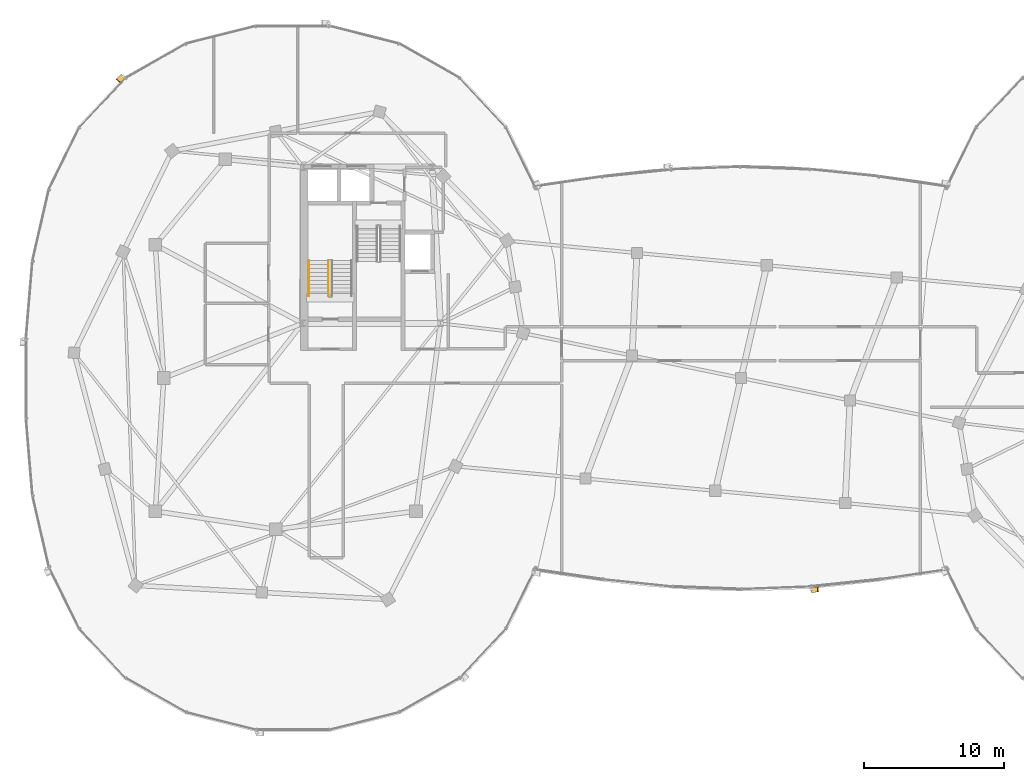
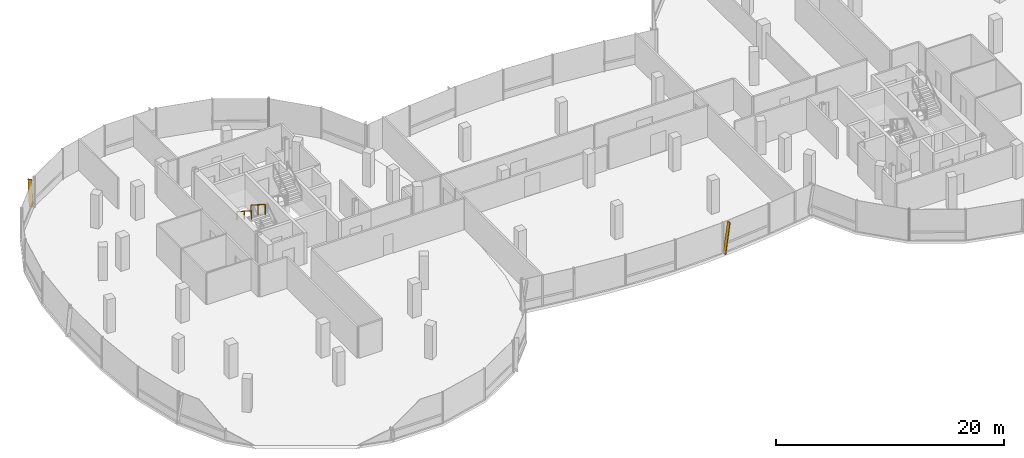
# One storey, part 21 of 24: 2 railings, 2 shading devices.
"""IFC4 building model written with IfcOpenShell, lengths in metres."""

from ifc_helpers import new_model, si_unit, direction, frame, origin, origin_2d, place, context, subcontext, project, spatial, rectangle, extrude, material, material_profile, profile_set, type_object, element, save


model = new_model("IFC4")

# Units and contexts
model_context = context("Model", 3, precision=1e-05, world=origin(), true_north=direction((0.0, 1.0)))
body_context = subcontext(model_context, "Body", "Model", "MODEL_VIEW")
ifc_project = project(units=[si_unit("LENGTHUNIT", "METRE"), si_unit("AREAUNIT", "SQUARE_METRE"), si_unit("VOLUMEUNIT", "CUBIC_METRE"), si_unit("PLANEANGLEUNIT", "RADIAN"), si_unit("MASSUNIT", "GRAM", prefix="KILO"), si_unit("THERMODYNAMICTEMPERATUREUNIT", "KELVIN"), si_unit("POWERUNIT", "WATT")], contexts=[model_context])

# Site, building, storey
site_placement = place(None, origin())
site = spatial("IfcSite", under=ifc_project, at=site_placement, CompositionType="ELEMENT")
building_placement = place(site_placement, origin())
building = spatial("IfcBuilding", under=site, at=building_placement, Name="Cundina Bronze Exchange", CompositionType="ELEMENT")
storey_placement = place(building_placement, frame((0.0, 0.0, 268.39990234375)))
storey = spatial("IfcBuildingStorey", under=building, at=storey_placement, Name="L71", CompositionType="ELEMENT", Elevation=268.39990234375)

# Railings
ifc_material_1 = material(Name="Steel ASTM A36 Painted", Category="steel")
railing_type_1 = type_object("IfcRailingType", Name="RLG-HND-900", PredefinedType="HANDRAIL", material=ifc_material_1)
railing_1_placement = place(storey_placement, frame((-30.85009765625, 8.3701171875, 1.97998046875)))
element("IfcRailing", 1, at=railing_1_placement, inside=storey, type_object=railing_type_1, Name="L71 ST-W1 stair handrail 2", PredefinedType="HANDRAIL", context=body_context, shape_type="SweptSolid", body=[
    extrude(rectangle(XDim=0.048095703125, YDim=0.048095703125, at=origin_2d()), frame((0.0, 0.0, 0.8759765625), z_axis=(0.0, -0.841162588446, 0.540782303519), x_axis=(1.0, 0.0, 0.0)), (0.0, 0.0, 1.0), 2.995849609375),
    extrude(rectangle(XDim=0.0419921875, YDim=0.0419921875, at=origin_2d()), origin(), (0.0, 0.0, 1.0), 0.851806640625),
    extrude(rectangle(XDim=0.0419921875, YDim=0.0419921875, at=origin_2d()), frame((0.0, -1.260009765625, 0.81005859375)), (0.0, 0.0, 1.0), 0.851806640625),
    extrude(rectangle(XDim=0.0419921875, YDim=0.0419921875, at=origin_2d()), frame((0.0, -2.52001953125, 1.6201171875)), (0.0, 0.0, 1.0), 0.851806640625),
])
railing_type_2 = type_object("IfcRailingType", Name="RLG-STG-1100", PredefinedType="GUARDRAIL", material=ifc_material_1)
railing_2_placement = place(storey_placement, frame((-29.449951171875, 8.3701171875, 1.97998046875)))
element("IfcRailing", 2, at=railing_2_placement, inside=storey, type_object=railing_type_2, Name="L71 ST-W1 stair guard 3", PredefinedType="GUARDRAIL", context=body_context, shape_type="SweptSolid", body=[
    extrude(rectangle(XDim=0.048095703125, YDim=0.048095703125, at=origin_2d()), frame((0.0, 0.0, 1.076171875), z_axis=(0.0, -0.841162588446, 0.540782303519), x_axis=(1.0, 0.0, 0.0)), (0.0, 0.0, 1.0), 2.995849609375),
    extrude(rectangle(XDim=0.0419921875, YDim=0.0419921875, at=origin_2d()), origin(), (0.0, 0.0, 1.0), 1.052001953125),
    extrude(rectangle(XDim=0.0419921875, YDim=0.0419921875, at=origin_2d()), frame((0.0, -1.260009765625, 0.81005859375)), (0.0, 0.0, 1.0), 1.052001953125),
    extrude(rectangle(XDim=0.0419921875, YDim=0.0419921875, at=origin_2d()), frame((0.0, -2.52001953125, 1.6201171875)), (0.0, 0.0, 1.0), 1.052001953125),
])

# Shading devices
ifc_material_2 = material(Name="Anodised Bronze Aluminium 6063-T6", Category="aluminium")
ifc_material_profile = material_profile(ifc_material_2, rectangle(XDim=0.070068359375, YDim=0.3798828125, at=origin_2d()), Name="FIN70X380", Category="aluminium")
ifc_profile_set = profile_set([ifc_material_profile], Name="Anodised Bronze Aluminium 6063-T6")
shading_device_type = type_object("IfcShadingDeviceType", Name="SHD-FIN-BRZ380", PredefinedType="USERDEFINED", material=ifc_profile_set)
shading_device_1_placement = place(storey_placement, frame((-44.122314453125, 21.55078125, 0.02001953125), z_axis=(-0.098541444371, -0.10491076507, 0.989587446926), x_axis=(0.677505727677, 0.721296959704, 0.143932918008)))
element("IfcShadingDevice", 3, at=shading_device_1_placement, inside=storey, type_object=shading_device_type, Name="L71 Diagonal Bronze Solar Fin 1", ObjectType="FIN", PredefinedType="USERDEFINED", context=body_context, shape_type="SweptSolid", body=[
    extrude(rectangle(XDim=0.070068359375, YDim=0.3798828125, at=origin_2d()), origin(), (0.0, 0.0, 1.0), 3.334716796875),
])
shading_device_2_placement = place(storey_placement, frame((5.0146484375, -15.12890625, 0.02001953125), z_axis=(0.145724273631, 0.015056932621, 0.989210657471), x_axis=(-0.983972150742, -0.101668733734, 0.14650008582)))
element("IfcShadingDevice", 4, at=shading_device_2_placement, inside=storey, type_object=shading_device_type, Name="L71 Diagonal Bronze Solar Fin 5", ObjectType="FIN", PredefinedType="USERDEFINED", context=body_context, shape_type="SweptSolid", body=[
    extrude(rectangle(XDim=0.070068359375, YDim=0.3798828125, at=origin_2d()), origin(), (0.0, 0.0, 1.0), 3.275390625),
])

save(model, "model.ifc")
